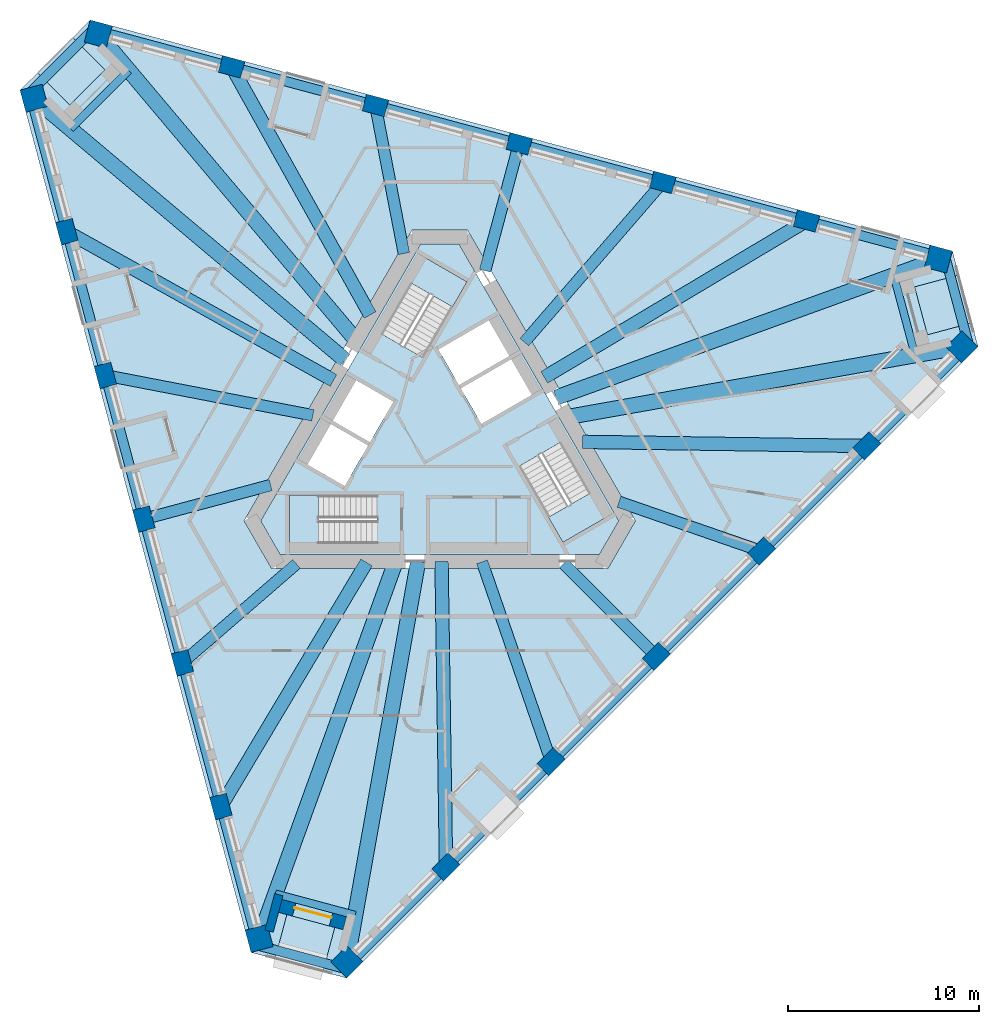
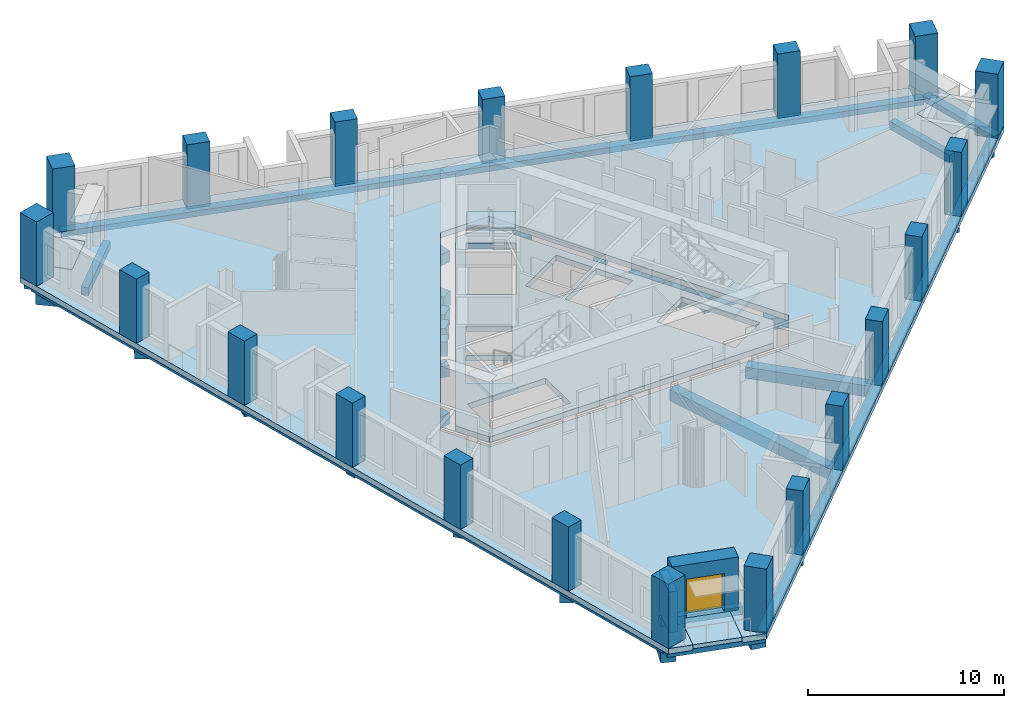
# One storey, part 1 of 13: 30 beams, 21 columns, 8 slabs, 2 walls, 1 door, 1 opening, 3 elements without a shape of their own.
"""IFC4 building model written with IfcOpenShell, lengths in metres."""

from ifc_helpers import new_model, si_unit, direction, frame, frame_2d, origin, origin_2d, place, context, subcontext, project, spatial, polyline, rectangle, outline, extrude, material, layer, layer_set, material_profile, profile_set, type_object, element, fill, aggregate, save


model = new_model("IFC4")

# Units and contexts
model_context = context("Model", 3, precision=1e-05, world=origin(), true_north=direction((0.0, 1.0)))
body_context = subcontext(model_context, "Body", "Model", "MODEL_VIEW")
ifc_project = project(units=[si_unit("LENGTHUNIT", "METRE"), si_unit("AREAUNIT", "SQUARE_METRE"), si_unit("VOLUMEUNIT", "CUBIC_METRE"), si_unit("PLANEANGLEUNIT", "RADIAN"), si_unit("MASSUNIT", "GRAM", prefix="KILO")], contexts=[model_context])

# Site, building, storey
site_placement = place(None, origin())
site = spatial("IfcSite", under=ifc_project, at=site_placement, CompositionType="ELEMENT")
building_placement = place(site_placement, origin())
building = spatial("IfcBuilding", under=site, at=building_placement, Name="Tramontana Tower", CompositionType="ELEMENT")
storey_placement = place(building_placement, frame((0.0, 0.0, 212.0)))
storey = spatial("IfcBuildingStorey", under=building, at=storey_placement, Name="L49", CompositionType="ELEMENT", Elevation=212.0)

# Columns
ifc_material_1 = material(Name="Concrete 55 MPa", Category="concrete")
ifc_material_profile_1 = material_profile(ifc_material_1, rectangle(XDim=1.199951171875, YDim=1.199951171875, at=origin_2d()), Name="Mega column 1200X1200 55 MPa")
ifc_profile_set_1 = profile_set([ifc_material_profile_1], Name="Concrete 55 MPa")
column_type_1 = type_object("IfcColumnType", Name="Mega column 1200X1200 55 MPa", PredefinedType="COLUMN", material=ifc_profile_set_1)
for number, where, z_axis, x_axis, name in (
    (1, (-21.2548828125, 17.89111328125, 0.0), (0.0, 0.0, 1.0), (0.258819045103, -0.965925826289, 0.0), "Mega column C5K1 L49"),
    (2, (-9.461669921875, -26.12158203125, 0.0), (0.0, 0.0, 1.0), (0.258819045103, -0.965925826289, 0.0), "Mega column C5K2 L49"),
    (3, (-4.86669921875, -27.352783203125, 0.0), (0.0, 0.0, 1.0), (0.707106781187, 0.707106781187, 0.0), "Mega column C5K3 L49"),
    (4, (27.352783203125, 4.86669921875, 0.0), (0.0, 0.0, 1.0), (0.707106781187, 0.707106781187, 0.0), "Mega column C5K4 L49"),
    (5, (26.12158203125, 9.461669921875, 0.0), (0.0, 0.0, 1.0), (-0.965925826289, 0.258819045103, 0.0), "Mega column C5K5 L49"),
    (6, (-17.89111328125, 21.2548828125, 0.0), (0.0, 0.0, 1.0), (-0.965925826289, 0.258819045103, 0.0), "Mega column C5K6 L49"),
):
    element("IfcColumn", number, at=place(storey_placement, frame(where, z_axis=z_axis, x_axis=x_axis)), inside=storey, type_object=column_type_1, Name=name, PredefinedType="COLUMN", context=body_context, shape_type="SweptSolid", body=[
        extrude(rectangle(XDim=1.199951171875, YDim=1.199951171875, at=origin_2d()), origin(), (0.0, 0.0, 1.0), 4.0),
    ])
ifc_material_2 = material(Name="Concrete 55 MPa", Category="concrete")
ifc_material_profile_2 = material_profile(ifc_material_2, rectangle(XDim=1.199951171875, YDim=0.89990234375, at=origin_2d()), Name="Pier column 1200X900 55 MPa")
ifc_profile_set_2 = profile_set([ifc_material_profile_2], Name="Concrete 55 MPa")
column_type_2 = type_object("IfcColumnType", Name="Pier column 1200X900 55 MPa", PredefinedType="COLUMN", material=ifc_profile_set_2)
for number, where, z_axis, x_axis, name in (
    (7, (-19.53759765625, 10.9033203125, 0.0), (0.0, 0.0, 1.0), (0.258819045103, -0.965925826289, 0.0), "Pier column C5F01 L49"),
    (8, (-17.5205078125, 3.37451171875, 0.0), (0.0, 0.0, 1.0), (0.258819045103, -0.965925826289, 0.0), "Pier column C5F02 L49"),
    (9, (-15.503173828125, -4.154052734375, 0.0), (0.0, 0.0, 1.0), (0.258819045103, -0.965925826289, 0.0), "Pier column C5F03 L49"),
    (10, (-13.48583984375, -11.6826171875, 0.0), (0.0, 0.0, 1.0), (0.258819045103, -0.965925826289, 0.0), "Pier column C5F04 L49"),
    (11, (-11.468505859375, -19.21142578125, 0.0), (0.0, 0.0, 1.0), (0.258819045103, -0.965925826289, 0.0), "Pier column C5F05 L49"),
    (12, (0.326416015625, -22.371826171875, 0.0), (0.0, 0.0, 1.0), (0.707106781187, 0.707106781187, 0.0), "Pier column C5F06 L49"),
    (13, (5.837646484375, -16.8603515625, 0.0), (0.0, 0.0, 1.0), (0.707106781187, 0.707106781187, 0.0), "Pier column C5F07 L49"),
    (14, (11.34912109375, -11.34912109375, 0.0), (0.0, 0.0, 1.0), (0.707106781187, 0.707106781187, 0.0), "Pier column C5F08 L49"),
    (15, (16.8603515625, -5.837646484375, 0.0), (0.0, 0.0, 1.0), (0.707106781187, 0.707106781187, 0.0), "Pier column C5F09 L49"),
    (16, (22.371826171875, -0.326416015625, 0.0), (0.0, 0.0, 1.0), (0.707106781187, 0.707106781187, 0.0), "Pier column C5F10 L49"),
    (17, (19.21142578125, 11.468505859375, 0.0), (0.0, 0.0, 1.0), (-0.965925826289, 0.258819045103, 0.0), "Pier column C5F11 L49"),
    (18, (11.6826171875, 13.48583984375, 0.0), (0.0, 0.0, 1.0), (-0.965925826289, 0.258819045103, 0.0), "Pier column C5F12 L49"),
    (19, (4.154052734375, 15.503173828125, 0.0), (0.0, 0.0, 1.0), (-0.965925826289, 0.258819045103, 0.0), "Pier column C5F13 L49"),
    (20, (-3.37451171875, 17.5205078125, 0.0), (0.0, 0.0, 1.0), (-0.965925826289, 0.258819045103, 0.0), "Pier column C5F14 L49"),
    (21, (-10.9033203125, 19.53759765625, 0.0), (0.0, 0.0, 1.0), (-0.965925826289, 0.258819045103, 0.0), "Pier column C5F15 L49"),
):
    element("IfcColumn", number, at=place(storey_placement, frame(where, z_axis=z_axis, x_axis=x_axis)), inside=storey, type_object=column_type_2, Name=name, PredefinedType="COLUMN", context=body_context, shape_type="SweptSolid", body=[
        extrude(rectangle(XDim=1.199951171875, YDim=0.89990234375, at=origin_2d()), origin(), (0.0, 0.0, 1.0), 4.0),
    ])

# Beams
ifc_material_3 = material(Name="Concrete 40 MPa", Category="concrete")
ifc_material_profile_3 = material_profile(ifc_material_3, rectangle(XDim=0.5, YDim=0.35009765625, at=origin_2d()), Name="RC EDGE BEAM 500X350 40 MPa")
ifc_profile_set_3 = profile_set([ifc_material_profile_3], Name="Concrete 40 MPa")
beam_type_1 = type_object("IfcBeamType", Name="RC EDGE BEAM 500X350 40 MPa", PredefinedType="SPANDREL", material=ifc_profile_set_3)
beam_1_placement = place(storey_placement, frame((-21.399658203125, 17.852294921875, -0.52490234375), z_axis=(0.25882000186, -0.965925569926, 0.0), x_axis=(0.965925569926, 0.25882000186, 0.0)))
element("IfcBeam", 22, at=beam_1_placement, inside=storey, type_object=beam_type_1, Name="Spandrel beam S0 L49", PredefinedType="SPANDREL", context=body_context, shape_type="SweptSolid", body=[
    extrude(rectangle(XDim=0.5, YDim=0.35009765625, at=origin_2d()), origin(), (0.0, 0.0, 1.0), 45.565185546875),
])
beam_2_placement = place(storey_placement, frame((-4.7607421875, -27.458984375, -0.52490234375), z_axis=(0.707106781187, 0.707106781187, 0.0), x_axis=(-0.707106781187, 0.707106781187, 0.0)))
element("IfcBeam", 23, at=beam_2_placement, inside=storey, type_object=beam_type_1, Name="Spandrel beam S1 L49", PredefinedType="SPANDREL", context=body_context, shape_type="SweptSolid", body=[
    extrude(rectangle(XDim=0.5, YDim=0.35009765625, at=origin_2d()), origin(), (0.0, 0.0, 1.0), 45.565673828125),
])
beam_3_placement = place(storey_placement, frame((26.160400390625, 9.6064453125, -0.52490234375), z_axis=(-0.965925569926, 0.25882000186, 0.0), x_axis=(-0.25882000186, -0.965925569926, 0.0)))
element("IfcBeam", 24, at=beam_3_placement, inside=storey, type_object=beam_type_1, Name="Spandrel beam S2 L49", PredefinedType="SPANDREL", context=body_context, shape_type="SweptSolid", body=[
    extrude(rectangle(XDim=0.5, YDim=0.35009765625, at=origin_2d()), origin(), (0.0, 0.0, 1.0), 45.565185546875),
])
beam_4_placement = place(storey_placement, frame((-17.997314453125, 21.67138671875, -0.52490234375), z_axis=(-0.707106781187, -0.707106781187, 0.0), x_axis=(0.707106781187, -0.707106781187, 0.0)))
element("IfcBeam", 25, at=beam_4_placement, inside=storey, type_object=beam_type_1, Name="Spandrel beam K0 L49", PredefinedType="SPANDREL", context=body_context, shape_type="SweptSolid", body=[
    extrude(rectangle(XDim=0.5, YDim=0.35009765625, at=origin_2d()), origin(), (0.0, 0.0, 1.0), 5.19580078125),
])
for number, where, z_axis, x_axis, name in (
    (26, (-9.769287109375, -26.421875, -0.52490234375), (0.965931693355, -0.258797147923, 0.0), (0.258797147923, 0.965931693355, 0.0), "Spandrel beam K1 L49"),
    (27, (27.7666015625, 4.750244140625, -0.52490234375), (-0.258797147923, 0.965931693355, 0.0), (-0.965931693355, -0.258797147923, 0.0), "Spandrel beam K2 L49"),
):
    element("IfcBeam", number, at=place(storey_placement, frame(where, z_axis=z_axis, x_axis=x_axis)), inside=storey, type_object=beam_type_1, Name=name, PredefinedType="SPANDREL", context=body_context, shape_type="SweptSolid", body=[
        extrude(rectangle(XDim=0.5, YDim=0.35009765625, at=origin_2d()), origin(), (0.0, 0.0, 1.0), 5.196044921875),
    ])
ifc_material_4 = material(Name="Concrete 40 MPa", Category="concrete")
ifc_material_profile_4 = material_profile(ifc_material_4, rectangle(XDim=0.60009765625, YDim=0.699951171875, at=origin_2d()), Name="RC GIRDER 600X700 40 MPa")
ifc_profile_set_4 = profile_set([ifc_material_profile_4], Name="Concrete 40 MPa")
beam_type_2 = type_object("IfcBeamType", Name="RC GIRDER 600X700 40 MPa", PredefinedType="BEAM", material=ifc_profile_set_4)
beam_5_placement = place(storey_placement, frame((-17.5205078125, 3.37451171875, -0.699951171875), z_axis=(0.981952314937, -0.189128663056, 0.0), x_axis=(0.189128663056, 0.981952314937, 0.0)))
element("IfcBeam", 28, at=beam_5_placement, inside=storey, type_object=beam_type_2, Name="Radial girder C5F02 L49", PredefinedType="BEAM", context=body_context, shape_type="SweptSolid", body=[
    extrude(rectangle(XDim=0.60009765625, YDim=0.699951171875, at=origin_2d()), origin(), (0.0, 0.0, 1.0), 11.074462890625),
])
beam_6_placement = place(storey_placement, frame((-15.503173828125, -4.154052734375, -0.699951171875), z_axis=(0.96592381373, 0.258826555959, 0.0), x_axis=(-0.258826555959, 0.96592381373, 0.0)))
element("IfcBeam", 29, at=beam_6_placement, inside=storey, type_object=beam_type_2, Name="Radial girder C5F03 L49", PredefinedType="BEAM", context=body_context, shape_type="SweptSolid", body=[
    extrude(rectangle(XDim=0.60009765625, YDim=0.699951171875, at=origin_2d()), origin(), (0.0, 0.0, 1.0), 6.879150390625),
])
beam_7_placement = place(storey_placement, frame((-13.48583984375, -11.6826171875, -0.699951171875), z_axis=(0.755833701345, 0.654763633619, 0.0), x_axis=(-0.654763633619, 0.755833701345, 0.0)))
element("IfcBeam", 30, at=beam_7_placement, inside=storey, type_object=beam_type_2, Name="Radial girder C5F04 L49", PredefinedType="BEAM", context=body_context, shape_type="SweptSolid", body=[
    extrude(rectangle(XDim=0.60009765625, YDim=0.699951171875, at=origin_2d()), origin(), (0.0, 0.0, 1.0), 7.908447265625),
])
beam_8_placement = place(storey_placement, frame((5.837646484375, -16.8603515625, -0.699951171875), z_axis=(-0.327178709265, 0.944962481903, 0.0), x_axis=(-0.944962481903, -0.327178709265, 0.0)))
element("IfcBeam", 31, at=beam_8_placement, inside=storey, type_object=beam_type_2, Name="Radial girder C5F07 L49", PredefinedType="BEAM", context=body_context, shape_type="SweptSolid", body=[
    extrude(rectangle(XDim=0.60009765625, YDim=0.699951171875, at=origin_2d()), origin(), (0.0, 0.0, 1.0), 11.074462890625),
])
beam_9_placement = place(storey_placement, frame((11.34912109375, -11.34912109375, -0.699951171875), z_axis=(-0.707106781187, 0.707106781187, 0.0), x_axis=(-0.707106781187, -0.707106781187, 0.0)))
element("IfcBeam", 32, at=beam_9_placement, inside=storey, type_object=beam_type_2, Name="Radial girder C5F08 L49", PredefinedType="BEAM", context=body_context, shape_type="SweptSolid", body=[
    extrude(rectangle(XDim=0.60009765625, YDim=0.699951171875, at=origin_2d()), origin(), (0.0, 0.0, 1.0), 6.879150390625),
])
beam_10_placement = place(storey_placement, frame((16.8603515625, -5.837646484375, -0.699951171875), z_axis=(-0.944964783829, 0.327172060732, 0.0), x_axis=(-0.327172060732, -0.944964783829, 0.0)))
element("IfcBeam", 33, at=beam_10_placement, inside=storey, type_object=beam_type_2, Name="Radial girder C5F09 L49", PredefinedType="BEAM", context=body_context, shape_type="SweptSolid", body=[
    extrude(rectangle(XDim=0.60009765625, YDim=0.699951171875, at=origin_2d()), origin(), (0.0, 0.0, 1.0), 7.908447265625),
])
beam_11_placement = place(storey_placement, frame((11.6826171875, 13.48583984375, -0.699951171875), z_axis=(-0.654758463957, -0.755838179689, 0.0), x_axis=(0.755838179689, -0.654758463957, 0.0)))
element("IfcBeam", 34, at=beam_11_placement, inside=storey, type_object=beam_type_2, Name="Radial girder C5F12 L49", PredefinedType="BEAM", context=body_context, shape_type="SweptSolid", body=[
    extrude(rectangle(XDim=0.60009765625, YDim=0.699951171875, at=origin_2d()), origin(), (0.0, 0.0, 1.0), 11.07421875),
])
beam_12_placement = place(storey_placement, frame((4.154052734375, 15.503173828125, -0.699951171875), z_axis=(-0.258826555959, -0.96592381373, 0.0), x_axis=(0.96592381373, -0.258826555959, 0.0)))
element("IfcBeam", 35, at=beam_12_placement, inside=storey, type_object=beam_type_2, Name="Radial girder C5F13 L49", PredefinedType="BEAM", context=body_context, shape_type="SweptSolid", body=[
    extrude(rectangle(XDim=0.60009765625, YDim=0.699951171875, at=origin_2d()), origin(), (0.0, 0.0, 1.0), 6.879150390625),
])
beam_13_placement = place(storey_placement, frame((-3.37451171875, 17.5205078125, -0.699951171875), z_axis=(0.189111876718, -0.981955547917, 0.0), x_axis=(0.981955547917, 0.189111876718, 0.0)))
element("IfcBeam", 36, at=beam_13_placement, inside=storey, type_object=beam_type_2, Name="Radial girder C5F14 L49", PredefinedType="BEAM", context=body_context, shape_type="SweptSolid", body=[
    extrude(rectangle(XDim=0.60009765625, YDim=0.699951171875, at=origin_2d()), origin(), (0.0, 0.0, 1.0), 7.90869140625),
])
ifc_material_5 = material(Name="Concrete 40 MPa", Category="concrete")
ifc_material_profile_5 = material_profile(ifc_material_5, rectangle(XDim=0.699951171875, YDim=0.89990234375, at=origin_2d()), Name="RC GIRDER 700X900 40 MPa")
ifc_profile_set_5 = profile_set([ifc_material_profile_5], Name="Concrete 40 MPa")
beam_type_3 = type_object("IfcBeamType", Name="RC GIRDER 700X900 40 MPa", PredefinedType="BEAM", material=ifc_profile_set_5)
beam_14_placement = place(storey_placement, frame((-19.53759765625, 10.9033203125, -0.800048828125), z_axis=(0.873222771741, -0.487321239956, 0.0), x_axis=(0.487321239956, 0.873222771741, 0.0)))
element("IfcBeam", 37, at=beam_14_placement, inside=storey, type_object=beam_type_3, Name="Radial girder C5F01 L49", PredefinedType="BEAM", context=body_context, shape_type="SweptSolid", body=[
    extrude(rectangle(XDim=0.699951171875, YDim=0.89990234375, at=origin_2d()), origin(), (0.0, 0.0, 1.0), 15.99853515625),
])
beam_15_placement = place(storey_placement, frame((-11.468505859375, -19.211181640625, -0.800048828125), z_axis=(0.512577256937, 0.858641109935, 0.0), x_axis=(-0.858641109935, 0.512577256937, 0.0)))
element("IfcBeam", 38, at=beam_15_placement, inside=storey, type_object=beam_type_3, Name="Radial girder C5F05 L49", PredefinedType="BEAM", context=body_context, shape_type="SweptSolid", body=[
    extrude(rectangle(XDim=0.699951171875, YDim=0.89990234375, at=origin_2d()), origin(), (0.0, 0.0, 1.0), 14.8876953125),
])
beam_16_placement = place(storey_placement, frame((0.326416015625, -22.371826171875, -0.800048828125), z_axis=(-0.014588743818, 0.999893578614, 0.0), x_axis=(-0.999893578614, -0.014588743818, 0.0)))
element("IfcBeam", 39, at=beam_16_placement, inside=storey, type_object=beam_type_3, Name="Radial girder C5F06 L49", PredefinedType="BEAM", context=body_context, shape_type="SweptSolid", body=[
    extrude(rectangle(XDim=0.699951171875, YDim=0.89990234375, at=origin_2d()), origin(), (0.0, 0.0, 1.0), 15.99853515625),
])
beam_17_placement = place(storey_placement, frame((22.371826171875, -0.326416015625, -0.800048828125), z_axis=(-0.999893489786, 0.01459483068, 0.0), x_axis=(-0.01459483068, -0.999893489786, 0.0)))
element("IfcBeam", 40, at=beam_17_placement, inside=storey, type_object=beam_type_3, Name="Radial girder C5F10 L49", PredefinedType="BEAM", context=body_context, shape_type="SweptSolid", body=[
    extrude(rectangle(XDim=0.699951171875, YDim=0.89990234375, at=origin_2d()), origin(), (0.0, 0.0, 1.0), 14.8876953125),
])
beam_18_placement = place(storey_placement, frame((19.211181640625, 11.468505859375, -0.800048828125), z_axis=(-0.858639355408, -0.512580196012, 0.0), x_axis=(0.512580196012, -0.858639355408, 0.0)))
element("IfcBeam", 41, at=beam_18_placement, inside=storey, type_object=beam_type_3, Name="Radial girder C5F11 L49", PredefinedType="BEAM", context=body_context, shape_type="SweptSolid", body=[
    extrude(rectangle(XDim=0.699951171875, YDim=0.89990234375, at=origin_2d()), origin(), (0.0, 0.0, 1.0), 15.998291015625),
])
beam_19_placement = place(storey_placement, frame((-10.9033203125, 19.53759765625, -0.800048828125), z_axis=(0.487317016809, -0.873225128548, 0.0), x_axis=(0.873225128548, 0.487317016809, 0.0)))
element("IfcBeam", 42, at=beam_19_placement, inside=storey, type_object=beam_type_3, Name="Radial girder C5F15 L49", PredefinedType="BEAM", context=body_context, shape_type="SweptSolid", body=[
    extrude(rectangle(XDim=0.699951171875, YDim=0.89990234375, at=origin_2d()), origin(), (0.0, 0.0, 1.0), 14.887939453125),
])
ifc_material_6 = material(Name="Concrete 40 MPa", Category="concrete")
ifc_material_profile_6 = material_profile(ifc_material_6, rectangle(XDim=0.800048828125, YDim=1.10009765625, at=origin_2d()), Name="RC GIRDER 800X1100 40 MPa")
ifc_profile_set_6 = profile_set([ifc_material_profile_6], Name="Concrete 40 MPa")
beam_type_4 = type_object("IfcBeamType", Name="RC GIRDER 800X1100 40 MPa", PredefinedType="BEAM", material=ifc_profile_set_6)
beam_20_placement = place(storey_placement, frame((-21.2548828125, 17.89111328125, -0.89990234375), z_axis=(0.765048789766, -0.643972320273, 0.0), x_axis=(0.643972320273, 0.765048789766, 0.0)))
element("IfcBeam", 43, at=beam_20_placement, inside=storey, type_object=beam_type_4, Name="Radial girder C5K1 L49", PredefinedType="BEAM", context=body_context, shape_type="SweptSolid", body=[
    extrude(rectangle(XDim=0.800048828125, YDim=1.10009765625, at=origin_2d()), origin(), (0.0, 0.0, 1.0), 21.301513671875),
])
beam_21_placement = place(storey_placement, frame((-9.461669921875, -26.12158203125, -0.89990234375), z_axis=(0.340569160695, 0.94021946735, 0.0), x_axis=(-0.94021946735, 0.340569160695, 0.0)))
element("IfcBeam", 44, at=beam_21_placement, inside=storey, type_object=beam_type_4, Name="Radial girder C5K2 L49", PredefinedType="BEAM", context=body_context, shape_type="SweptSolid", body=[
    extrude(rectangle(XDim=0.800048828125, YDim=1.10009765625, at=origin_2d()), origin(), (0.0, 0.0, 1.0), 20.978271484375),
])
beam_22_placement = place(storey_placement, frame((-4.86669921875, -27.352783203125, -0.89990234375), z_axis=(0.175174555483, 0.984537391424, 0.0), x_axis=(-0.984537391424, 0.175174555483, 0.0)))
element("IfcBeam", 45, at=beam_22_placement, inside=storey, type_object=beam_type_4, Name="Radial girder C5K3 L49", PredefinedType="BEAM", context=body_context, shape_type="SweptSolid", body=[
    extrude(rectangle(XDim=0.800048828125, YDim=1.10009765625, at=origin_2d()), origin(), (0.0, 0.0, 1.0), 21.30126953125),
])
beam_23_placement = place(storey_placement, frame((27.352783203125, 4.86669921875, -0.89990234375), z_axis=(-0.984537718073, -0.175172719597, 0.0), x_axis=(0.175172719597, -0.984537718073, 0.0)))
element("IfcBeam", 46, at=beam_23_placement, inside=storey, type_object=beam_type_4, Name="Radial girder C5K4 L49", PredefinedType="BEAM", context=body_context, shape_type="SweptSolid", body=[
    extrude(rectangle(XDim=0.800048828125, YDim=1.10009765625, at=origin_2d()), origin(), (0.0, 0.0, 1.0), 20.978271484375),
])
beam_24_placement = place(storey_placement, frame((26.12158203125, 9.461669921875, -0.89990234375), z_axis=(-0.940223018737, -0.340559356113, 0.0), x_axis=(0.340559356113, -0.940223018737, 0.0)))
element("IfcBeam", 47, at=beam_24_placement, inside=storey, type_object=beam_type_4, Name="Radial girder C5K5 L49", PredefinedType="BEAM", context=body_context, shape_type="SweptSolid", body=[
    extrude(rectangle(XDim=0.800048828125, YDim=1.10009765625, at=origin_2d()), origin(), (0.0, 0.0, 1.0), 21.301513671875),
])
beam_25_placement = place(storey_placement, frame((-17.89111328125, 21.2548828125, -0.89990234375), z_axis=(0.643976971362, -0.765044874733, 0.0), x_axis=(0.765044874733, 0.643976971362, 0.0)))
element("IfcBeam", 48, at=beam_25_placement, inside=storey, type_object=beam_type_4, Name="Radial girder C5K6 L49", PredefinedType="BEAM", context=body_context, shape_type="SweptSolid", body=[
    extrude(rectangle(XDim=0.800048828125, YDim=1.10009765625, at=origin_2d()), origin(), (0.0, 0.0, 1.0), 20.978271484375),
])
ifc_material_7 = material(Name="Concrete 40 MPa", Category="concrete")
ifc_material_profile_7 = material_profile(ifc_material_7, rectangle(XDim=0.39990234375, YDim=0.5, at=origin_2d()), Name="RC TRIM BEAM 400X500 40 MPa")
ifc_profile_set_7 = profile_set([ifc_material_profile_7], Name="Concrete 40 MPa")
beam_type_5 = type_object("IfcBeamType", Name="RC TRIM BEAM 400X500 40 MPa", PredefinedType="JOIST", material=ifc_profile_set_7)
beam_26_placement = place(storey_placement, frame((-16.2880859375, 19.35009765625, -0.60009765625), z_axis=(-0.707106781187, -0.707106781187, 0.0), x_axis=(0.707106781187, -0.707106781187, 0.0)))
element("IfcBeam", 49, at=beam_26_placement, inside=storey, type_object=beam_type_5, Name="Trimmer beam K0 L49", PredefinedType="JOIST", context=body_context, shape_type="SweptSolid", body=[
    extrude(rectangle(XDim=0.39990234375, YDim=0.5, at=origin_2d()), origin(), (0.0, 0.0, 1.0), 4.330322265625),
])
for number, where, z_axis, x_axis, name in (
    (50, (-8.61376953125, -23.781005859375, -0.60009765625), (0.965926410656, -0.258816864207, 0.0), (0.258816864207, 0.965926410656, 0.0), "Trimmer beam K1 L49"),
    (51, (24.90185546875, 4.4306640625, -0.60009765625), (-0.258816864207, 0.965926410656, 0.0), (-0.965926410656, -0.258816864207, 0.0), "Trimmer beam K2 L49"),
):
    element("IfcBeam", number, at=place(storey_placement, frame(where, z_axis=z_axis, x_axis=x_axis)), inside=storey, type_object=beam_type_5, Name=name, PredefinedType="JOIST", context=body_context, shape_type="SweptSolid", body=[
        extrude(rectangle(XDim=0.39990234375, YDim=0.5, at=origin_2d()), origin(), (0.0, 0.0, 1.0), 4.33056640625),
    ])

# Slabs
ifc_material_8 = material(Name="Precast concrete 50 MPa", Category="concrete")
ifc_layer_1 = layer(ifc_material_8, 0.25)
ifc_layer_set_1 = layer_set([ifc_layer_1], Name="LT1 Loggia floor tray 250")
slab_type_1 = type_object("IfcSlabType", Name="LT1 Loggia floor tray 250", PredefinedType="FLOOR", material=ifc_layer_set_1)
slab_1_placement = place(storey_placement, frame((0.0, 0.0, -0.25)))
element("IfcSlab", 52, at=slab_1_placement, inside=storey, type_object=slab_type_1, Name="Corner loggia floor L49 K50", PredefinedType="FLOOR", context=body_context, shape_type="SweptSolid", body=[
    extrude(outline(polyline([(-19.2333984375, 21.07177734375), (-17.5361328125, 19.374755859375), (-19.374755859375, 17.5361328125), (-21.07177734375, 19.2333984375), (-19.2333984375, 21.07177734375)])), origin(), (0.0, 0.0, 1.0), 0.25),
])
slab_2_placement = place(storey_placement, frame((0.0, 0.0, -0.25)))
element("IfcSlab", 53, at=slab_2_placement, inside=storey, type_object=slab_type_1, Name="Corner loggia floor L49 K51", PredefinedType="FLOOR", context=body_context, shape_type="SweptSolid", body=[
    extrude(outline(polyline([(-8.632080078125, -27.1923828125), (-8.010986328125, -24.874267578125), (-5.49951171875, -25.547119140625), (-6.12060546875, -27.865234375), (-8.632080078125, -27.1923828125)])), origin(), (0.0, 0.0, 1.0), 0.25),
])
slab_3_placement = place(storey_placement, frame((0.0, 0.0, -0.25)))
element("IfcSlab", 54, at=slab_3_placement, inside=storey, type_object=slab_type_1, Name="Corner loggia floor L49 K52", PredefinedType="FLOOR", context=body_context, shape_type="SweptSolid", body=[
    extrude(outline(polyline([(27.865234375, 6.12060546875), (25.547119140625, 5.49951171875), (24.874267578125, 8.010986328125), (27.1923828125, 8.632080078125), (27.865234375, 6.12060546875)])), origin(), (0.0, 0.0, 1.0), 0.25),
])
ifc_material_9 = material(Name="Concrete 40 MPa", Category="concrete")
ifc_layer_2 = layer(ifc_material_9, 0.35009765625)
ifc_layer_set_2 = layer_set([ifc_layer_2], Name="PT FLAT SLAB 350 40 MPa")
slab_type_2 = type_object("IfcSlabType", Name="PT FLAT SLAB 350 40 MPa", PredefinedType="FLOOR", material=ifc_layer_set_2)
slab_4_placement = place(storey_placement, frame((0.0, 0.0, -0.35009765625)))
element("IfcSlab", 55, at=slab_4_placement, inside=storey, type_object=slab_type_2, Name="Floor slab L49", PredefinedType="FLOOR", context=body_context, shape_type="SweptSolid", body=[
    extrude(outline(polyline([(27.1923828125, 8.632080078125), (24.874267578125, 8.010986328125), (25.547119140625, 5.49951171875), (27.865478515625, 6.12060546875), (28.201416015625, 4.86669921875), (-4.86669921875, -28.201416015625), (-6.12060546875, -27.865478515625), (-5.49951171875, -25.547119140625), (-8.010986328125, -24.874267578125), (-8.632080078125, -27.1923828125), (-9.885986328125, -26.8564453125), (-21.98974609375, 18.3154296875), (-21.07177734375, 19.2333984375), (-19.374755859375, 17.5361328125), (-17.5361328125, 19.374755859375), (-19.2333984375, 21.07177734375), (-18.3154296875, 21.98974609375), (26.8564453125, 9.885986328125), (27.1923828125, 8.632080078125)]), holes=[polyline([(-10.248046875, -4.25), (-8.8046875, -6.75), (8.8046875, -6.75), (10.248046875, -4.25), (1.443359375, 11.0), (-1.443359375, 11.0), (-10.248046875, -4.25)])]), origin(), (0.0, 0.0, 1.0), 0.35009765625),
])
slab_5_placement = place(storey_placement, frame((0.0, 0.0, -0.35009765625)))
element("IfcSlab", 56, at=slab_5_placement, inside=storey, type_object=slab_type_2, Name="Core floor slab L49", PredefinedType="FLOOR", context=body_context, shape_type="SweptSolid", body=[
    extrude(outline(polyline([(9.3818359375, -4.25), (8.37158203125, -6.0), (-8.37158203125, -6.0), (-9.3818359375, -4.25), (-1.010498046875, 10.25), (1.010498046875, 10.25), (9.3818359375, -4.25)]), holes=[polyline([(8.659912109375, -4.099365234375), (6.35986328125, -0.115478515625), (4.151611328125, -1.390625), (6.451416015625, -5.374267578125), (8.659912109375, -4.099365234375)]), polyline([(3.829833984375, 4.2666015625), (1.101806640625, 2.69140625), (2.177001953125, 0.82958984375), (4.90478515625, 2.404541015625), (3.829833984375, 4.2666015625)]), polyline([(2.65478515625, 6.3017578125), (-0.072998046875, 4.726806640625), (1.001953125, 2.86474609375), (3.729736328125, 4.439697265625), (2.65478515625, 6.3017578125)]), polyline([(-0.77978515625, 9.54931640625), (-3.079833984375, 5.565673828125), (-0.87158203125, 4.29052734375), (1.428466796875, 8.2744140625), (-0.77978515625, 9.54931640625)]), polyline([(-5.689697265625, 1.044921875), (-3.65478515625, -0.130126953125), (-2.4296875, 1.99169921875), (-4.46484375, 3.166748046875), (-5.689697265625, 1.044921875)]), polyline([(-3.280029296875, -5.449951171875), (-3.280029296875, -2.89990234375), (-7.8798828125, -2.89990234375), (-7.8798828125, -5.449951171875), (-3.280029296875, -5.449951171875)]), polyline([(-7.014892578125, -1.25), (-4.979736328125, -2.425048828125), (-3.754638671875, -0.30322265625), (-5.789794921875, 0.87158203125), (-7.014892578125, -1.25)])]), origin(), (0.0, 0.0, 1.0), 0.35009765625),
])

# Stair, slab
ifc_material_10 = material(Name="Concrete 40 MPa", Category="concrete")
stair_type = type_object("IfcStairType", Name="EXIT STAIR 24 RISERS", PredefinedType="HALF_TURN_STAIR", material=ifc_material_10)
stair_1_placement = place(storey_placement, origin())
stair_1 = element("IfcStair", 57, at=stair_1_placement, inside=storey, type_object=stair_type, Name="L49 Exit stair ST1", PredefinedType="HALF_TURN_STAIR")
ifc_material_11 = material(Name="Concrete 40 MPa", Category="concrete")
ifc_layer_3 = layer(ifc_material_11, 0.199951171875)
ifc_layer_set_3 = layer_set([ifc_layer_3], Name="STAIR LANDING 200")
slab_type_3 = type_object("IfcSlabType", Name="STAIR LANDING 200", PredefinedType="LANDING", material=ifc_layer_set_3)
slab_6_placement = place(storey_placement, frame((0.0, 0.0, 1.800048828125)))
slab_6 = element("IfcSlab", 58, at=slab_6_placement, type_object=slab_type_3, Name="ST1 landing 1", PredefinedType="LANDING", context=body_context, shape_type="SweptSolid", body=[
    extrude(outline(polyline([(0.66845703125, 6.9580078125), (1.428466796875, 8.274169921875), (-0.77978515625, 9.54931640625), (-1.539794921875, 8.23291015625), (0.66845703125, 6.9580078125)])), origin(), (0.0, 0.0, 1.0), 0.199951171875),
])
aggregate(stair_1, [slab_6])

stair_2_placement = place(storey_placement, origin())
stair_2 = element("IfcStair", 59, at=stair_2_placement, inside=storey, type_object=stair_type, Name="L49 Exit stair ST2", PredefinedType="HALF_TURN_STAIR")
slab_7_placement = place(storey_placement, frame((0.0, 0.0, 1.800048828125)))
slab_7 = element("IfcSlab", 60, at=slab_7_placement, type_object=slab_type_3, Name="ST2 landing 1", PredefinedType="LANDING", context=body_context, shape_type="SweptSolid", body=[
    extrude(outline(polyline([(-6.360107421875, -2.89990234375), (-7.8798828125, -2.89990234375), (-7.8798828125, -5.449951171875), (-6.360107421875, -5.449951171875), (-6.360107421875, -2.89990234375)])), origin(), (0.0, 0.0, 1.0), 0.199951171875),
])
aggregate(stair_2, [slab_7])

stair_3_placement = place(storey_placement, origin())
stair_3 = element("IfcStair", 61, at=stair_3_placement, inside=storey, type_object=stair_type, Name="L49 Exit stair ST3", PredefinedType="HALF_TURN_STAIR")
slab_8_placement = place(storey_placement, frame((0.0, 0.0, 1.800048828125)))
slab_8 = element("IfcSlab", 62, at=slab_8_placement, type_object=slab_type_3, Name="ST3 landing 1", PredefinedType="LANDING", context=body_context, shape_type="SweptSolid", body=[
    extrude(outline(polyline([(5.69140625, -4.057861328125), (6.451416015625, -5.374267578125), (8.659912109375, -4.099365234375), (7.89990234375, -2.782958984375), (5.69140625, -4.057861328125)])), origin(), (0.0, 0.0, 1.0), 0.199951171875),
])
aggregate(stair_3, [slab_8])

# Wall
ifc_material_12 = material(Name="Precast concrete 60 MPa", Category="concrete")
ifc_layer_4 = layer(ifc_material_12, 0.449951171875)
ifc_layer_set_4 = layer_set([ifc_layer_4], Name="Precast concrete 60 MPa, 450 mm")
wall_type_1 = type_object("IfcWallType", Name="EW1 Stone-faced precast wall 450", PredefinedType="SOLIDWALL", material=ifc_layer_set_4)
wall_1_placement = place(storey_placement, frame((-8.942138671875, -25.741943359375, 0.0), z_axis=(0.0, 0.0, 1.0), x_axis=(0.258783354109, 0.965935388955, 0.0)))
element("IfcWall", 63, at=wall_1_placement, inside=storey, type_object=wall_type_1, Name="Corner loggia side wall L49 K51r", PredefinedType="SOLIDWALL", context=body_context, shape_type="SweptSolid", body=[
    extrude(rectangle(XDim=1.979248046875, YDim=0.449951171875, at=frame_2d((0.98974609375, 0.0))), origin(), (0.0, 0.0, 1.0), 2.550048828125),
])

# Wall, opening, door
ifc_material_13 = material(Name="Precast concrete 60 MPa", Category="concrete")
ifc_layer_5 = layer(ifc_material_13, 0.89990234375)
ifc_layer_set_5 = layer_set([ifc_layer_5], Name="EW2 Stone-faced corner loggia wall 900")
wall_type_2 = type_object("IfcWallType", Name="EW2 Stone-faced corner loggia wall 900", PredefinedType="SOLIDWALL", material=ifc_layer_set_5)
wall_2_placement = place(storey_placement, frame((-4.9482421875, -25.22900390625, 0.0), z_axis=(0.0, 0.0, 1.0), x_axis=(-0.965918160473, 0.258847652622, 0.0)))
wall_2 = element("IfcWall", 64, at=wall_2_placement, inside=storey, type_object=wall_type_2, Name="Corner loggia wall L49 K51", PredefinedType="SOLIDWALL", context=body_context, shape_type="SweptSolid", body=[
    extrude(rectangle(XDim=3.500244140625, YDim=0.89990234375, at=frame_2d((1.75, 0.0))), origin(), (0.0, 0.0, 1.0), 3.300048828125),
])
opening_placement = place(wall_2_placement, frame((0.75, 0.0, 0.0)))
opening = element("IfcOpeningElement", 65, at=opening_placement, cuts=wall_2, Name="Opening BD-51C", PredefinedType="OPENING", context=body_context, shape_type="SweptSolid", body=[
    extrude(rectangle(XDim=2.0, YDim=2.39990234375, at=frame_2d((1.0, 1.199951171875))), frame((0.0, 0.4599609375, 0.0), z_axis=(0.0, -1.0, 0.0), x_axis=(1.0, 0.0, 0.0)), (0.0, 0.0, 1.0), 0.919921875),
])
ifc_material_14 = material(Name="Aluminum frame, double glazing unit", Category="aluminium")
door_type = type_object("IfcDoorType", Name="BC1 Sliding door 2 x 2.4", OperationType="SLIDING_TO_LEFT", PredefinedType="DOOR", material=ifc_material_14)
door_placement = place(opening_placement, origin())
door = element("IfcDoor", 66, at=door_placement, inside=storey, type_object=door_type, Name="Corner loggia door L49 K51", OperationType="SLIDING_TO_LEFT", OverallHeight=2.39990234375, OverallWidth=2.0, PredefinedType="DOOR", context=body_context, shape_type="SweptSolid", body=[
    extrude(rectangle(XDim=2.0, YDim=2.39990234375, at=frame_2d((1.0, 1.199951171875))), frame((0.0, 0.02490234375, 0.0), z_axis=(0.0, -1.0, 0.0), x_axis=(1.0, 0.0, 0.0)), (0.0, 0.0, 1.0), 0.050048828125),
])
fill(opening, door)

save(model, "model.ifc")
